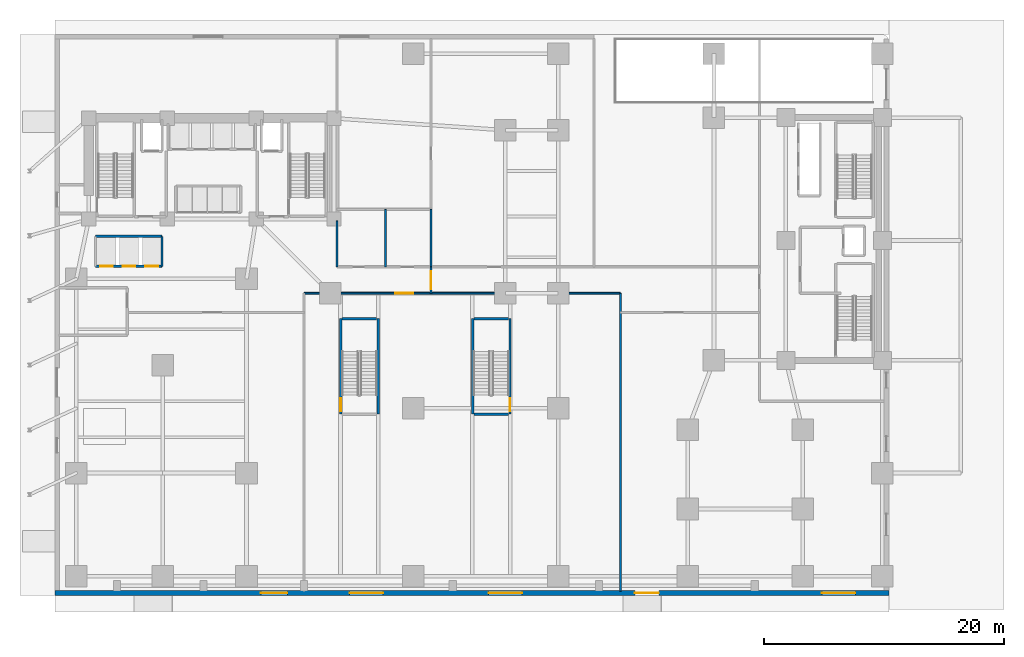
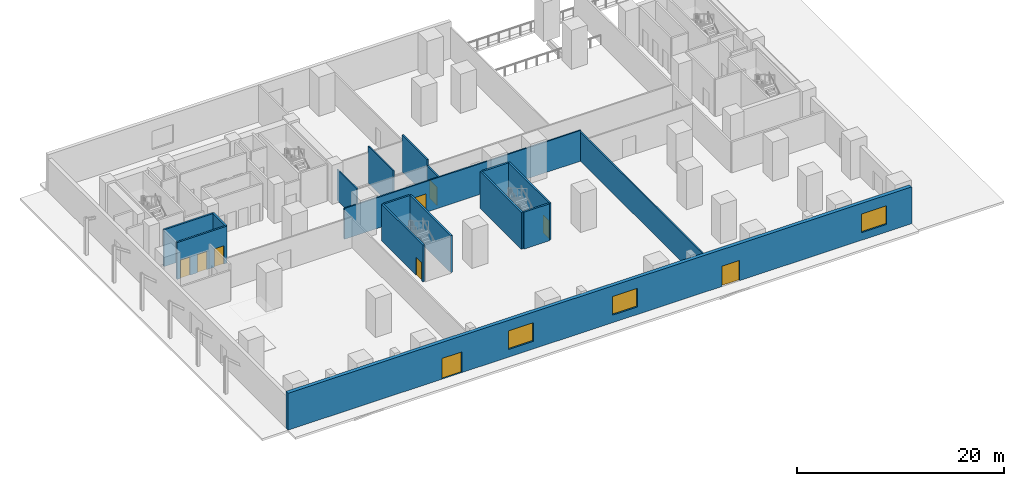
# One storey, part 6 of 14: 17 walls, 9 doors, 3 windows, 12 openings.
"""IFC4 building model written with IfcOpenShell, lengths in metres."""

from ifc_helpers import new_model, si_unit, direction, frame, frame_2d, origin, place, context, subcontext, project, spatial, rectangle, extrude, material, layer, layer_set, type_object, element, fill, save


model = new_model("IFC4")

# Units and contexts
model_context = context("Model", 3, precision=1e-05, world=origin(), true_north=direction((0.0, 1.0)))
body_context = subcontext(model_context, "Body", "Model", "MODEL_VIEW")
ifc_project = project(units=[si_unit("LENGTHUNIT", "METRE"), si_unit("AREAUNIT", "SQUARE_METRE"), si_unit("VOLUMEUNIT", "CUBIC_METRE"), si_unit("PLANEANGLEUNIT", "RADIAN"), si_unit("MASSUNIT", "GRAM", prefix="KILO")], contexts=[model_context])

# Site, building, storey
site_placement = place(None, origin())
site = spatial("IfcSite", under=ifc_project, at=site_placement, CompositionType="ELEMENT")
building_placement = place(site_placement, origin())
building = spatial("IfcBuilding", under=site, at=building_placement, Name="Kuzgunbayir Cultural Tower", CompositionType="ELEMENT")
storey_placement = place(building_placement, origin())
storey = spatial("IfcBuildingStorey", under=building, at=storey_placement, Name="L00", CompositionType="ELEMENT", Elevation=0.0)

# Wall, openings, doors, windows
ifc_material_1 = material(Name="Honed Basalt Plinth Stone", Category="masonry")
ifc_layer_1 = layer(ifc_material_1, 0.39990234375)
ifc_layer_set_1 = layer_set([ifc_layer_1], Name="Honed Basalt Plinth Stone")
wall_type_1 = type_object("IfcWallType", Name="WAL-EXT-GRANITE-400", PredefinedType="STANDARD", material=ifc_layer_set_1)
wall_1_placement = place(storey_placement, frame((3.60009765625, 2.60009765625, 0.0), z_axis=(0.0, 0.0, 1.0), x_axis=(1.0, 0.0, 0.0)))
wall_1 = element("IfcWall", 1, at=wall_1_placement, inside=storey, type_object=wall_type_1, Name="L00 Podium South Limestone Facade", PredefinedType="STANDARD", context=body_context, shape_type="SweptSolid", body=[
    extrude(rectangle(XDim=69.599853515625, YDim=0.39990234375, at=frame_2d((34.7998046875, 0.0))), origin(), (0.0, 0.0, 1.0), 4.35009765625),
])
opening_1_placement = place(wall_1_placement, frame((24.60009765625, 0.0, 0.89990234375)))
opening_1 = element("IfcOpeningElement", 2, at=opening_1_placement, cuts=wall_1, Name="Opening WG-28", PredefinedType="OPENING", context=body_context, shape_type="SweptSolid", body=[
    extrude(rectangle(XDim=2.800048828125, YDim=2.199951171875, at=frame_2d((1.39990234375, 1.10009765625))), frame((0.0, 0.2099609375, 0.0), z_axis=(0.0, -1.0, 0.0), x_axis=(1.0, 0.0, 0.0)), (0.0, 0.0, 1.0), 0.419921875),
])
opening_2_placement = place(wall_1_placement, frame((36.199951171875, 0.0, 0.89990234375)))
opening_2 = element("IfcOpeningElement", 3, at=opening_2_placement, cuts=wall_1, Name="Opening WG-28", PredefinedType="OPENING", context=body_context, shape_type="SweptSolid", body=[
    extrude(rectangle(XDim=2.800048828125, YDim=2.199951171875, at=frame_2d((1.39990234375, 1.10009765625))), frame((0.0, 0.2099609375, 0.0), z_axis=(0.0, -1.0, 0.0), x_axis=(1.0, 0.0, 0.0)), (0.0, 0.0, 1.0), 0.419921875),
])
opening_3_placement = place(wall_1_placement, frame((64.0, 0.0, 0.89990234375)))
opening_3 = element("IfcOpeningElement", 4, at=opening_3_placement, cuts=wall_1, Name="Opening WG-28", PredefinedType="OPENING", context=body_context, shape_type="SweptSolid", body=[
    extrude(rectangle(XDim=2.800048828125, YDim=2.199951171875, at=frame_2d((1.39990234375, 1.10009765625))), frame((0.0, 0.2099609375, 0.0), z_axis=(0.0, -1.0, 0.0), x_axis=(1.0, 0.0, 0.0)), (0.0, 0.0, 1.0), 0.419921875),
])
opening_4_placement = place(wall_1_placement, frame((17.199951171875, 0.0, 0.0)))
opening_4 = element("IfcOpeningElement", 5, at=opening_4_placement, cuts=wall_1, Name="Opening ED-02", PredefinedType="OPENING", context=body_context, shape_type="SweptSolid", body=[
    extrude(rectangle(XDim=2.199951171875, YDim=2.449951171875, at=frame_2d((1.10009765625, 1.22509765625))), frame((0.0, 0.2099609375, 0.0), z_axis=(0.0, -1.0, 0.0), x_axis=(1.0, 0.0, 0.0)), (0.0, 0.0, 1.0), 0.419921875),
])
opening_5_placement = place(wall_1_placement, frame((48.39990234375, 0.0, 0.0)))
opening_5 = element("IfcOpeningElement", 6, at=opening_5_placement, cuts=wall_1, Name="Opening ED-03", PredefinedType="OPENING", context=body_context, shape_type="SweptSolid", body=[
    extrude(rectangle(XDim=2.0, YDim=2.39990234375, at=frame_2d((1.0, 1.199951171875))), frame((0.0, 0.2099609375, 0.0), z_axis=(0.0, -1.0, 0.0), x_axis=(1.0, 0.0, 0.0)), (0.0, 0.0, 1.0), 0.419921875),
])
ifc_material_2 = material(Name="Thermally Broken Glazed Aluminium", Category="aluminium")
door_type_1 = type_object("IfcDoorType", Name="DR-ED-02", OperationType="DOUBLE_SWING_RIGHT", PredefinedType="DOOR", material=ifc_material_2)
door_1_placement = place(opening_4_placement, frame((2.199951171875, 0.0, 0.0), z_axis=(0.0, 0.0, 1.0), x_axis=(-1.0, 0.0, 0.0)))
door_1 = element("IfcDoor", 7, at=door_1_placement, inside=storey, type_object=door_type_1, Name="South Auditorium Foyer Entrance ED-02", OperationType="DOUBLE_SWING_RIGHT", OverallHeight=2.449951171875, OverallWidth=2.199951171875, PredefinedType="DOOR", context=body_context, shape_type="SweptSolid", body=[
    extrude(rectangle(XDim=2.199951171875, YDim=2.449951171875, at=frame_2d((1.10009765625, 1.22509765625))), frame((0.0, 0.02490234375, 0.0), z_axis=(0.0, -1.0, 0.0), x_axis=(1.0, 0.0, 0.0)), (0.0, 0.0, 1.0), 0.050048828125),
])
fill(opening_4, door_1)
door_type_2 = type_object("IfcDoorType", Name="DR-ED-03", OperationType="DOUBLE_DOOR_SINGLE_SWING", PredefinedType="DOOR", material=ifc_material_2)
door_2_placement = place(opening_5_placement, frame((2.0, 0.0, 0.0), z_axis=(0.0, 0.0, 1.0), x_axis=(-1.0, 0.0, 0.0)))
door_2 = element("IfcDoor", 8, at=door_2_placement, inside=storey, type_object=door_type_2, Name="Companion Cultural Foyer Entrance ED-03", OperationType="DOUBLE_DOOR_SINGLE_SWING", OverallHeight=2.39990234375, OverallWidth=2.0, PredefinedType="DOOR", context=body_context, shape_type="SweptSolid", body=[
    extrude(rectangle(XDim=2.0, YDim=2.39990234375, at=frame_2d((1.0, 1.199951171875))), frame((0.0, 0.02490234375, 0.0), z_axis=(0.0, -1.0, 0.0), x_axis=(1.0, 0.0, 0.0)), (0.0, 0.0, 1.0), 0.050048828125),
])
fill(opening_5, door_2)
ifc_material_3 = material(Name="Solar-Control Triple Glazing", Category="glass")
window_type = type_object("IfcWindowType", Name="WIN-GALLERY-28", PartitioningType="SINGLE_PANEL", PredefinedType="WINDOW", material=ifc_material_3)
window_1_placement = place(opening_1_placement, origin())
window_1 = element("IfcWindow", 9, at=window_1_placement, inside=storey, type_object=window_type, Name="L00 Podium South Gallery Window 2", OverallHeight=2.199951171875, OverallWidth=2.800048828125, PartitioningType="SINGLE_PANEL", PredefinedType="WINDOW", context=body_context, shape_type="SweptSolid", body=[
    extrude(rectangle(XDim=2.800048828125, YDim=2.199951171875, at=frame_2d((1.39990234375, 1.10009765625))), frame((0.0, 0.030029296875, 0.0), z_axis=(0.0, -1.0, 0.0), x_axis=(1.0, 0.0, 0.0)), (0.0, 0.0, 1.0), 0.06005859375),
])
fill(opening_1, window_1)
window_2_placement = place(opening_2_placement, origin())
window_2 = element("IfcWindow", 10, at=window_2_placement, inside=storey, type_object=window_type, Name="L00 Podium South Gallery Window 3", OverallHeight=2.199951171875, OverallWidth=2.800048828125, PartitioningType="SINGLE_PANEL", PredefinedType="WINDOW", context=body_context, shape_type="SweptSolid", body=[
    extrude(rectangle(XDim=2.800048828125, YDim=2.199951171875, at=frame_2d((1.39990234375, 1.10009765625))), frame((0.0, 0.030029296875, 0.0), z_axis=(0.0, -1.0, 0.0), x_axis=(1.0, 0.0, 0.0)), (0.0, 0.0, 1.0), 0.06005859375),
])
fill(opening_2, window_2)
window_3_placement = place(opening_3_placement, origin())
window_3 = element("IfcWindow", 11, at=window_3_placement, inside=storey, type_object=window_type, Name="L00 Podium South Gallery Window 5", OverallHeight=2.199951171875, OverallWidth=2.800048828125, PartitioningType="SINGLE_PANEL", PredefinedType="WINDOW", context=body_context, shape_type="SweptSolid", body=[
    extrude(rectangle(XDim=2.800048828125, YDim=2.199951171875, at=frame_2d((1.39990234375, 1.10009765625))), frame((0.0, 0.030029296875, 0.0), z_axis=(0.0, -1.0, 0.0), x_axis=(1.0, 0.0, 0.0)), (0.0, 0.0, 1.0), 0.06005859375),
])
fill(opening_3, window_3)

# Wall, opening, door
ifc_material_4 = material(Name="Acoustic Double-Stud Drywall", Category="gypsum")
ifc_layer_2 = layer(ifc_material_4, 0.14990234375)
ifc_layer_set_2 = layer_set([ifc_layer_2], Name="Acoustic Double-Stud Drywall")
wall_type_2 = type_object("IfcWallType", Name="WAL-PART-ACOUSTIC-150", PredefinedType="PARTITIONING", material=ifc_layer_set_2)
wall_2_placement = place(storey_placement, frame((24.39990234375, 27.60009765625, 0.0), z_axis=(0.0, 0.0, 1.0), x_axis=(1.0, 0.0, 0.0)))
wall_2 = element("IfcWall", 12, at=wall_2_placement, inside=storey, type_object=wall_type_2, Name="L00 Central Concourse South Wall", PredefinedType="PARTITIONING", context=body_context, shape_type="SweptSolid", body=[
    extrude(rectangle(XDim=26.400146484375, YDim=0.14990234375, at=frame_2d((13.2001953125, 0.0))), origin(), (0.0, 0.0, 1.0), 3.6298828125),
])
opening_6_placement = place(wall_2_placement, frame((7.60009765625, 0.0, 0.0)))
opening_6 = element("IfcOpeningElement", 13, at=opening_6_placement, cuts=wall_2, Name="Opening DI-150", PredefinedType="OPENING", context=body_context, shape_type="SweptSolid", body=[
    extrude(rectangle(XDim=1.5, YDim=2.179931640625, at=frame_2d((0.75, 1.08984375))), frame((0.0, 0.0849609375, 0.0), z_axis=(0.0, -1.0, 0.0), x_axis=(1.0, 0.0, 0.0)), (0.0, 0.0, 1.0), 0.169921875),
])
ifc_material_5 = material(Name="Veneered Oak Double Leaf", Category="wood")
door_type_3 = type_object("IfcDoorType", Name="DR-INT-150", OperationType="DOUBLE_DOOR_SINGLE_SWING", PredefinedType="DOOR", material=ifc_material_5)
door_3_placement = place(opening_6_placement, origin())
door_3 = element("IfcDoor", 14, at=door_3_placement, inside=storey, type_object=door_type_3, Name="L00 Central Hall Double Door", OperationType="DOUBLE_DOOR_SINGLE_SWING", OverallHeight=2.179931640625, OverallWidth=1.5, PredefinedType="DOOR", context=body_context, shape_type="SweptSolid", body=[
    extrude(rectangle(XDim=1.5, YDim=2.179931640625, at=frame_2d((0.75, 1.08984375))), frame((0.0, 0.02490234375, 0.0), z_axis=(0.0, -1.0, 0.0), x_axis=(1.0, 0.0, 0.0)), (0.0, 0.0, 1.0), 0.050048828125),
])
fill(opening_6, door_3)

wall_3_placement = place(storey_placement, frame((35.0, 27.60009765625, 0.0), z_axis=(0.0, 0.0, 1.0), x_axis=(0.0, 1.0, 0.0)))
wall_3 = element("IfcWall", 15, at=wall_3_placement, inside=storey, type_object=wall_type_2, Name="L00 Grand Concourse Mid Threshold Wall", PredefinedType="PARTITIONING", context=body_context, shape_type="SweptSolid", body=[
    extrude(rectangle(XDim=2.199951171875, YDim=0.14990234375, at=frame_2d((1.10009765625, 0.0))), origin(), (0.0, 0.0, 1.0), 3.6298828125),
])
opening_7_placement = place(wall_3_placement, frame((0.35009765625, 0.0, 0.0)))
opening_7 = element("IfcOpeningElement", 16, at=opening_7_placement, cuts=wall_3, Name="Opening DI-150", PredefinedType="OPENING", context=body_context, shape_type="SweptSolid", body=[
    extrude(rectangle(XDim=1.5, YDim=2.179931640625, at=frame_2d((0.75, 1.08984375))), frame((0.0, 0.0849609375, 0.0), z_axis=(0.0, -1.0, 0.0), x_axis=(1.0, 0.0, 0.0)), (0.0, 0.0, 1.0), 0.169921875),
])
door_4_placement = place(opening_7_placement, origin())
door_4 = element("IfcDoor", 17, at=door_4_placement, inside=storey, type_object=door_type_3, Name="L00 Grand Concourse Mid Threshold Door", OperationType="DOUBLE_DOOR_SINGLE_SWING", OverallHeight=2.179931640625, OverallWidth=1.5, PredefinedType="DOOR", context=body_context, shape_type="SweptSolid", body=[
    extrude(rectangle(XDim=1.5, YDim=2.179931640625, at=frame_2d((0.75, 1.08984375))), frame((0.0, 0.02490234375, 0.0), z_axis=(0.0, -1.0, 0.0), x_axis=(1.0, 0.0, 0.0)), (0.0, 0.0, 1.0), 0.050048828125),
])
fill(opening_7, door_4)

# Walls
wall_4_placement = place(storey_placement, frame((50.800048828125, 2.75, 0.0), z_axis=(0.0, 0.0, 1.0), x_axis=(0.0, 1.0, 0.0)))
element("IfcWall", 18, at=wall_4_placement, inside=storey, type_object=wall_type_2, Name="L00 Central Performance Hall Divider", PredefinedType="PARTITIONING", context=body_context, shape_type="SweptSolid", body=[
    extrude(rectangle(XDim=24.85009765625, YDim=0.14990234375, at=frame_2d((12.425048828125, 0.0))), origin(), (0.0, 0.0, 1.0), 3.429931640625),
])
ifc_material_6 = material(Name="Moisture-Resistant Tile Partition", Category="gypsum")
ifc_layer_3 = layer(ifc_material_6, 0.14990234375)
ifc_layer_set_3 = layer_set([ifc_layer_3], Name="Moisture-Resistant Tile Partition")
wall_type_3 = type_object("IfcWallType", Name="WAL-PART-WET-150", PredefinedType="PARTITIONING", material=ifc_layer_set_3)
wall_5_placement = place(storey_placement, frame((27.14990234375, 29.800048828125, 0.0), z_axis=(0.0, 0.0, 1.0), x_axis=(0.0, 1.0, 0.0)))
element("IfcWall", 19, at=wall_5_placement, inside=storey, type_object=wall_type_3, Name="L00 Core East Partition South", PredefinedType="PARTITIONING", context=body_context, shape_type="SweptSolid", body=[
    extrude(rectangle(XDim=3.849853515625, YDim=0.14990234375, at=frame_2d((1.9248046875, 0.0))), origin(), (0.0, 0.0, 1.0), 3.6298828125),
])
for number, where, z_axis, x_axis, name in (
    (20, (31.199951171875, 29.800048828125, 0.0), (0.0, 0.0, 1.0), (0.0, 1.0, 0.0), "L00 Public WC East Wall"),
    (21, (35.0, 29.800048828125, 0.0), (0.0, 0.0, 1.0), (0.0, 1.0, 0.0), "L00 Accessible WC East Wall"),
):
    element("IfcWall", number, at=place(storey_placement, frame(where, z_axis=z_axis, x_axis=x_axis)), inside=storey, type_object=wall_type_3, Name=name, PredefinedType="PARTITIONING", context=body_context, shape_type="SweptSolid", body=[
        extrude(rectangle(XDim=4.800048828125, YDim=0.14990234375, at=frame_2d((2.39990234375, 0.0))), origin(), (0.0, 0.0, 1.0), 4.35009765625),
    ])

# Wall, openings, doors
ifc_material_7 = material(Name="Concrete C40/50", Category="concrete")
ifc_layer_4 = layer(ifc_material_7, 0.199951171875)
ifc_layer_set_4 = layer_set([ifc_layer_4], Name="Concrete C40/50")
wall_type_4 = type_object("IfcWallType", Name="WAL-SHAFT-200", PredefinedType="MOVABLE", material=ifc_layer_set_4)
wall_6_placement = place(storey_placement, frame((7.0, 29.85009765625, 0.0), z_axis=(0.0, 0.0, 1.0), x_axis=(1.0, 0.0, 0.0)))
wall_6 = element("IfcWall", 22, at=wall_6_placement, inside=storey, type_object=wall_type_4, Name="L00 High-Rise Lift Shaft South Wall", PredefinedType="MOVABLE", context=body_context, shape_type="SweptSolid", body=[
    extrude(rectangle(XDim=5.550048828125, YDim=0.199951171875, at=frame_2d((2.77490234375, 0.0))), origin(), (0.0, 0.0, 1.0), 4.35009765625),
])
opening_8_placement = place(wall_6_placement, frame((0.3798828125, 0.0, 0.0)))
opening_8 = element("IfcOpeningElement", 23, at=opening_8_placement, cuts=wall_6, Name="Opening LD", PredefinedType="OPENING", context=body_context, shape_type="SweptSolid", body=[
    extrude(rectangle(XDim=1.050048828125, YDim=2.14990234375, at=frame_2d((0.52490234375, 1.074951171875))), frame((0.0, 0.10986328125, 0.0), z_axis=(0.0, -1.0, 0.0), x_axis=(1.0, 0.0, 0.0)), (0.0, 0.0, 1.0), 0.219970703125),
])
opening_9_placement = place(wall_6_placement, frame((2.280029296875, 0.0, 0.0)))
opening_9 = element("IfcOpeningElement", 24, at=opening_9_placement, cuts=wall_6, Name="Opening LD", PredefinedType="OPENING", context=body_context, shape_type="SweptSolid", body=[
    extrude(rectangle(XDim=1.050048828125, YDim=2.14990234375, at=frame_2d((0.52490234375, 1.074951171875))), frame((0.0, 0.10986328125, 0.0), z_axis=(0.0, -1.0, 0.0), x_axis=(1.0, 0.0, 0.0)), (0.0, 0.0, 1.0), 0.219970703125),
])
opening_10_placement = place(wall_6_placement, frame((4.169921875, 0.0, 0.0)))
opening_10 = element("IfcOpeningElement", 25, at=opening_10_placement, cuts=wall_6, Name="Opening LD", PredefinedType="OPENING", context=body_context, shape_type="SweptSolid", body=[
    extrude(rectangle(XDim=1.050048828125, YDim=2.14990234375, at=frame_2d((0.52490234375, 1.074951171875))), frame((0.0, 0.10986328125, 0.0), z_axis=(0.0, -1.0, 0.0), x_axis=(1.0, 0.0, 0.0)), (0.0, 0.0, 1.0), 0.219970703125),
])
ifc_material_8 = material(Name="Brushed Stainless Steel", Category="steel")
door_type_4 = type_object("IfcDoorType", Name="DR-LIFT-LANDING", OperationType="SLIDING_TO_LEFT", PredefinedType="DOOR", material=ifc_material_8)
door_5_placement = place(opening_8_placement, origin())
door_5 = element("IfcDoor", 26, at=door_5_placement, inside=storey, type_object=door_type_4, Name="L00 Lift PH-1 Landing Door", OperationType="SLIDING_TO_LEFT", OverallHeight=2.14990234375, OverallWidth=1.050048828125, PredefinedType="DOOR", context=body_context, shape_type="SweptSolid", body=[
    extrude(rectangle(XDim=1.050048828125, YDim=2.14990234375, at=frame_2d((0.52490234375, 1.074951171875))), frame((0.0, 0.02490234375, 0.0), z_axis=(0.0, -1.0, 0.0), x_axis=(1.0, 0.0, 0.0)), (0.0, 0.0, 1.0), 0.050048828125),
])
fill(opening_8, door_5)
door_6_placement = place(opening_9_placement, origin())
door_6 = element("IfcDoor", 27, at=door_6_placement, inside=storey, type_object=door_type_4, Name="L00 Lift PH-2 Landing Door", OperationType="SLIDING_TO_LEFT", OverallHeight=2.14990234375, OverallWidth=1.050048828125, PredefinedType="DOOR", context=body_context, shape_type="SweptSolid", body=[
    extrude(rectangle(XDim=1.050048828125, YDim=2.14990234375, at=frame_2d((0.52490234375, 1.074951171875))), frame((0.0, 0.02490234375, 0.0), z_axis=(0.0, -1.0, 0.0), x_axis=(1.0, 0.0, 0.0)), (0.0, 0.0, 1.0), 0.050048828125),
])
fill(opening_9, door_6)
door_7_placement = place(opening_10_placement, origin())
door_7 = element("IfcDoor", 28, at=door_7_placement, inside=storey, type_object=door_type_4, Name="L00 Lift PH-3 Landing Door", OperationType="SLIDING_TO_LEFT", OverallHeight=2.14990234375, OverallWidth=1.050048828125, PredefinedType="DOOR", context=body_context, shape_type="SweptSolid", body=[
    extrude(rectangle(XDim=1.050048828125, YDim=2.14990234375, at=frame_2d((0.52490234375, 1.074951171875))), frame((0.0, 0.02490234375, 0.0), z_axis=(0.0, -1.0, 0.0), x_axis=(1.0, 0.0, 0.0)), (0.0, 0.0, 1.0), 0.050048828125),
])
fill(opening_10, door_7)

# Walls
wall_7_placement = place(storey_placement, frame((7.0, 32.35009765625, 0.0), z_axis=(0.0, 0.0, 1.0), x_axis=(1.0, 0.0, 0.0)))
element("IfcWall", 29, at=wall_7_placement, inside=storey, type_object=wall_type_4, Name="L00 High-Rise Lift Shaft North Wall", PredefinedType="MOVABLE", context=body_context, shape_type="SweptSolid", body=[
    extrude(rectangle(XDim=5.550048828125, YDim=0.199951171875, at=frame_2d((2.77490234375, 0.0))), origin(), (0.0, 0.0, 1.0), 4.35009765625),
])
wall_8_placement = place(storey_placement, frame((12.550048828125, 29.85009765625, 0.0), z_axis=(0.0, 0.0, 1.0), x_axis=(0.0, 1.0, 0.0)))
element("IfcWall", 30, at=wall_8_placement, inside=storey, type_object=wall_type_4, Name="L00 High-Rise Lift Shaft East Wall", PredefinedType="MOVABLE", context=body_context, shape_type="SweptSolid", body=[
    extrude(rectangle(XDim=2.5, YDim=0.199951171875, at=frame_2d((1.25, 0.0))), origin(), (0.0, 0.0, 1.0), 4.35009765625),
])

# Wall, opening, door
ifc_layer_5 = layer(ifc_material_7, 0.199951171875)
ifc_layer_set_5 = layer_set([ifc_layer_5], Name="Concrete C40/50")
wall_type_5 = type_object("IfcWallType", Name="WAL-STAIR-RC-200", PredefinedType="SHEAR", material=ifc_layer_set_5)
wall_9_placement = place(storey_placement, frame((27.4599609375, 17.52001953125, 0.0), z_axis=(0.0, 0.0, 1.0), x_axis=(0.0, 1.0, 0.0)))
wall_9 = element("IfcWall", 31, at=wall_9_placement, inside=storey, type_object=wall_type_5, Name="L00 Stair ST-5 West Structural Wall", PredefinedType="SHEAR", context=body_context, shape_type="SweptSolid", body=[
    extrude(rectangle(XDim=7.9599609375, YDim=0.199951171875, at=frame_2d((3.97998046875, 0.0))), origin(), (0.0, 0.0, 1.0), 4.35009765625),
])
opening_11_placement = place(wall_9_placement, frame((0.219970703125, 0.0, 0.0)))
opening_11 = element("IfcOpeningElement", 32, at=opening_11_placement, cuts=wall_9, Name="Opening DR-STAIR-90", PredefinedType="OPENING", context=body_context, shape_type="SweptSolid", body=[
    extrude(rectangle(XDim=1.10009765625, YDim=2.14990234375, at=frame_2d((0.550048828125, 1.074951171875))), frame((0.0, 0.10986328125, 0.0), z_axis=(0.0, -1.0, 0.0), x_axis=(1.0, 0.0, 0.0)), (0.0, 0.0, 1.0), 0.219970703125),
])
ifc_material_9 = material(Name="Steel S355J2", Category="steel")
door_type_5 = type_object("IfcDoorType", Name="DR-STAIR-90", OperationType="NOTDEFINED", PredefinedType="DOOR", material=ifc_material_9)
door_8_placement = place(opening_11_placement, origin())
door_8 = element("IfcDoor", 33, at=door_8_placement, inside=storey, type_object=door_type_5, Name="L00 Stair ST-5 Fire Door", OperationType="SINGLE_SWING_LEFT", OverallHeight=2.14990234375, OverallWidth=1.10009765625, PredefinedType="DOOR", context=body_context, shape_type="SweptSolid", body=[
    extrude(rectangle(XDim=1.10009765625, YDim=2.14990234375, at=frame_2d((0.550048828125, 1.074951171875))), frame((0.0, 0.02490234375, 0.0), z_axis=(0.0, -1.0, 0.0), x_axis=(1.0, 0.0, 0.0)), (0.0, 0.0, 1.0), 0.050048828125),
])
fill(opening_11, door_8)

# Walls
wall_10_placement = place(storey_placement, frame((30.580078125, 17.52001953125, 0.0), z_axis=(0.0, 0.0, 1.0), x_axis=(0.0, 1.0, 0.0)))
element("IfcWall", 34, at=wall_10_placement, inside=storey, type_object=wall_type_5, Name="L00 Stair ST-5 East Structural Wall", PredefinedType="SHEAR", context=body_context, shape_type="SweptSolid", body=[
    extrude(rectangle(XDim=7.9599609375, YDim=0.199951171875, at=frame_2d((3.97998046875, 0.0))), origin(), (0.0, 0.0, 1.0), 4.35009765625),
])
wall_11_placement = place(storey_placement, frame((27.580078125, 25.47998046875, 0.0), z_axis=(0.0, 0.0, 1.0), x_axis=(1.0, 0.0, 0.0)))
element("IfcWall", 35, at=wall_11_placement, inside=storey, type_object=wall_type_5, Name="L00 Stair ST-5 North Structural Wall", PredefinedType="SHEAR", context=body_context, shape_type="SweptSolid", body=[
    extrude(rectangle(XDim=2.8798828125, YDim=0.199951171875, at=frame_2d((1.43994140625, 0.0))), origin(), (0.0, 0.0, 1.0), 4.35009765625),
])
wall_12_placement = place(storey_placement, frame((38.4599609375, 17.52001953125, 0.0), z_axis=(0.0, 0.0, 1.0), x_axis=(0.0, 1.0, 0.0)))
element("IfcWall", 36, at=wall_12_placement, inside=storey, type_object=wall_type_5, Name="L00 Stair ST-6 West Structural Wall", PredefinedType="SHEAR", context=body_context, shape_type="SweptSolid", body=[
    extrude(rectangle(XDim=7.9599609375, YDim=0.199951171875, at=frame_2d((3.97998046875, 0.0))), origin(), (0.0, 0.0, 1.0), 4.35009765625),
])

# Wall, opening, door
wall_13_placement = place(storey_placement, frame((41.580078125, 17.52001953125, 0.0), z_axis=(0.0, 0.0, 1.0), x_axis=(0.0, 1.0, 0.0)))
wall_13 = element("IfcWall", 37, at=wall_13_placement, inside=storey, type_object=wall_type_5, Name="L00 Stair ST-6 East Structural Wall", PredefinedType="SHEAR", context=body_context, shape_type="SweptSolid", body=[
    extrude(rectangle(XDim=7.9599609375, YDim=0.199951171875, at=frame_2d((3.97998046875, 0.0))), origin(), (0.0, 0.0, 1.0), 4.35009765625),
])
opening_12_placement = place(wall_13_placement, frame((0.219970703125, 0.0, 0.0)))
opening_12 = element("IfcOpeningElement", 38, at=opening_12_placement, cuts=wall_13, Name="Opening DR-STAIR-90", PredefinedType="OPENING", context=body_context, shape_type="SweptSolid", body=[
    extrude(rectangle(XDim=1.10009765625, YDim=2.14990234375, at=frame_2d((0.550048828125, 1.074951171875))), frame((0.0, 0.10986328125, 0.0), z_axis=(0.0, -1.0, 0.0), x_axis=(1.0, 0.0, 0.0)), (0.0, 0.0, 1.0), 0.219970703125),
])
door_9_placement = place(opening_12_placement, origin())
door_9 = element("IfcDoor", 39, at=door_9_placement, inside=storey, type_object=door_type_5, Name="L00 Stair ST-6 Fire Door", OperationType="SINGLE_SWING_LEFT", OverallHeight=2.14990234375, OverallWidth=1.10009765625, PredefinedType="DOOR", context=body_context, shape_type="SweptSolid", body=[
    extrude(rectangle(XDim=1.10009765625, YDim=2.14990234375, at=frame_2d((0.550048828125, 1.074951171875))), frame((0.0, 0.02490234375, 0.0), z_axis=(0.0, -1.0, 0.0), x_axis=(1.0, 0.0, 0.0)), (0.0, 0.0, 1.0), 0.050048828125),
])
fill(opening_12, door_9)

# Walls
for number, where, z_axis, x_axis, name in (
    (40, (38.580078125, 25.47998046875, 0.0), (0.0, 0.0, 1.0), (1.0, 0.0, 0.0), "L00 Stair ST-6 North Structural Wall"),
    (41, (38.580078125, 17.52001953125, 0.0), (0.0, 0.0, 1.0), (1.0, 0.0, 0.0), "L00 Stair ST-6 South Structural Wall"),
):
    element("IfcWall", number, at=place(storey_placement, frame(where, z_axis=z_axis, x_axis=x_axis)), inside=storey, type_object=wall_type_5, Name=name, PredefinedType="SHEAR", context=body_context, shape_type="SweptSolid", body=[
        extrude(rectangle(XDim=2.8798828125, YDim=0.199951171875, at=frame_2d((1.43994140625, 0.0))), origin(), (0.0, 0.0, 1.0), 4.35009765625),
    ])

save(model, "model.ifc")
